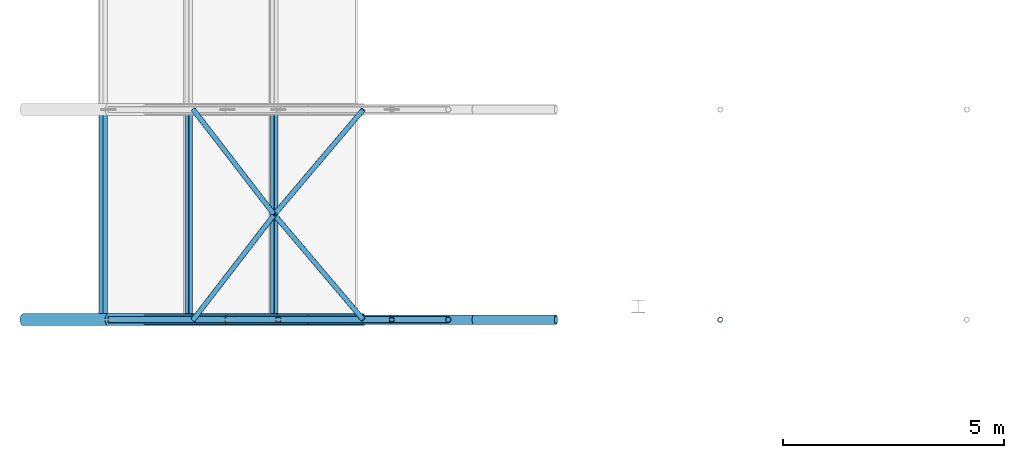
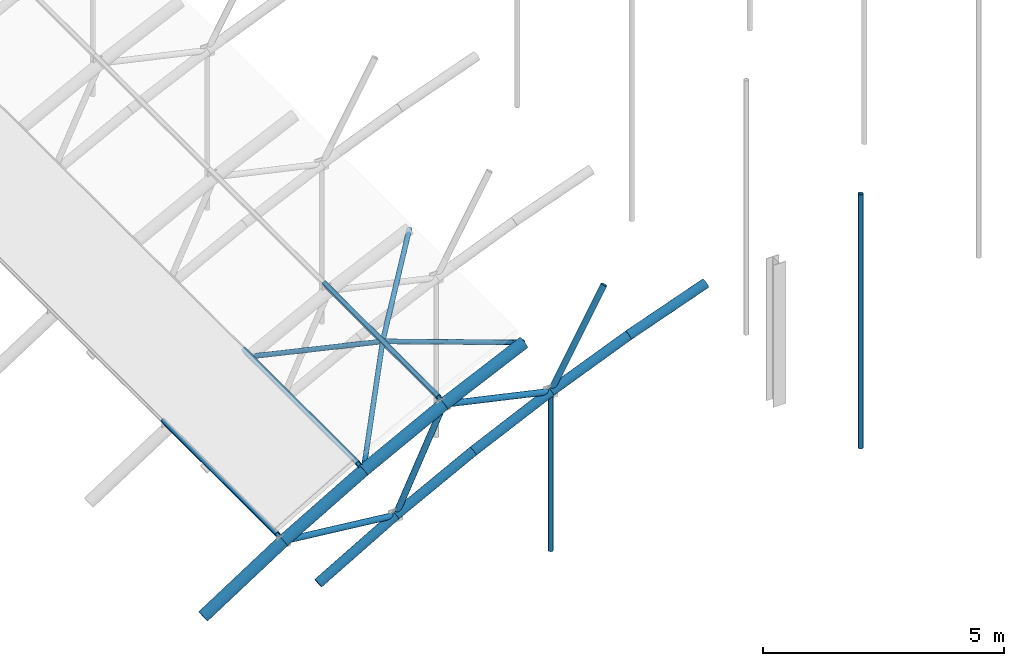
# One storey, part 6 of 50: 22 members.
"""IFC4 building model written with IfcOpenShell, lengths in metres."""

from ifc_helpers import new_model, si_unit, direction, frame, origin, origin_2d, place, context, subcontext, project, spatial, hollow_rectangle, hollow_circle, extrude, material, material_profile, profile_set, type_object, element, save


model = new_model("IFC4")

# Units and contexts
model_context = context("Model", 3, precision=1e-05, world=origin(), true_north=direction((0.0, 1.0)))
body_context = subcontext(model_context, "Body", "Model", "MODEL_VIEW")
ifc_project = project(units=[si_unit("LENGTHUNIT", "METRE"), si_unit("AREAUNIT", "SQUARE_METRE"), si_unit("VOLUMEUNIT", "CUBIC_METRE"), si_unit("PLANEANGLEUNIT", "RADIAN"), si_unit("MASSUNIT", "GRAM", prefix="KILO")], contexts=[model_context])

# Site, building, storey
site_placement = place(None, origin())
site = spatial("IfcSite", under=ifc_project, at=site_placement, CompositionType="ELEMENT")
building_placement = place(site_placement, origin())
building = spatial("IfcBuilding", under=site, at=building_placement, Name="Elbe Cascade School", CompositionType="ELEMENT")
storey_placement = place(building_placement, frame((0.0, 0.0, 15.300048828125)))
storey = spatial("IfcBuildingStorey", under=building, at=storey_placement, Name="L04", CompositionType="ELEMENT", Elevation=15.300048828125)

# Members
ifc_material_1 = material(Name="Steel S355J2H", Category="steel")
ifc_material_profile_1 = material_profile(ifc_material_1, hollow_circle(Radius=0.109619140625, WallThickness=0.012451171875, at=origin_2d()), Name="CHS 219.1x12.5")
ifc_profile_set_1 = profile_set([ifc_material_profile_1], Name="Steel S355J2H")
member_type_1 = type_object("IfcMemberType", Name="Hall rib bottom chord CHS 219.1x12.5", PredefinedType="CHORD", material=ifc_profile_set_1)
member_1_placement = place(storey_placement, frame((9.857177734375, 41.0, -0.509521484375), z_axis=(0.864836718866, 0.0, 0.502053233931), x_axis=(0.0, 1.0, 0.0)))
element("IfcMember", 1, at=member_1_placement, inside=storey, type_object=member_type_1, Name="Hall rib bottom chord CHS 219.1x12.5 M3", PredefinedType="CHORD", context=body_context, shape_type="SweptSolid", body=[
    extrude(hollow_circle(Radius=0.109619140625, WallThickness=0.012451171875, at=origin_2d()), origin(), (0.0, 0.0, 1.0), 2.1474609375),
])
member_2_placement = place(storey_placement, frame((11.71435546875, 41.0, 0.568603515625), z_axis=(0.886913089016, 0.0, 0.461936329523), x_axis=(0.0, 1.0, 0.0)))
element("IfcMember", 2, at=member_2_placement, inside=storey, type_object=member_type_1, Name="Hall rib bottom chord CHS 219.1x12.5 M3", PredefinedType="CHORD", context=body_context, shape_type="SweptSolid", body=[
    extrude(hollow_circle(Radius=0.109619140625, WallThickness=0.012451171875, at=origin_2d()), origin(), (0.0, 0.0, 1.0), 2.093994140625),
])
member_3_placement = place(storey_placement, frame((13.571533203125, 41.0, 1.535888671875), z_axis=(0.90670626979, 0.0, 0.421762658759), x_axis=(0.0, 1.0, 0.0)))
element("IfcMember", 3, at=member_3_placement, inside=storey, type_object=member_type_1, Name="Hall rib bottom chord CHS 219.1x12.5 M3", PredefinedType="CHORD", context=body_context, shape_type="SweptSolid", body=[
    extrude(hollow_circle(Radius=0.109619140625, WallThickness=0.012451171875, at=origin_2d()), origin(), (0.0, 0.0, 1.0), 2.048095703125),
])
member_4_placement = place(storey_placement, frame((15.428466796875, 41.0, 2.399658203125), z_axis=(0.924348085413, 0.0, 0.381550281083), x_axis=(0.0, 1.0, 0.0)))
element("IfcMember", 4, at=member_4_placement, inside=storey, type_object=member_type_1, Name="Hall rib bottom chord CHS 219.1x12.5 M3", PredefinedType="CHORD", context=body_context, shape_type="SweptSolid", body=[
    extrude(hollow_circle(Radius=0.109619140625, WallThickness=0.012451171875, at=origin_2d()), origin(), (0.0, 0.0, 1.0), 2.00927734375),
])
member_5_placement = place(storey_placement, frame((17.28564453125, 41.0, 3.166259765625), z_axis=(0.939919624861, 0.0, 0.341395809582), x_axis=(0.0, 1.0, 0.0)))
element("IfcMember", 5, at=member_5_placement, inside=storey, type_object=member_type_1, Name="Hall rib bottom chord CHS 219.1x12.5 M3", PredefinedType="CHORD", context=body_context, shape_type="SweptSolid", body=[
    extrude(hollow_circle(Radius=0.109619140625, WallThickness=0.012451171875, at=origin_2d()), origin(), (0.0, 0.0, 1.0), 1.975830078125),
])
ifc_material_2 = material(Name="Steel S355J2H", Category="steel")
ifc_material_profile_2 = material_profile(ifc_material_2, hollow_circle(Radius=0.136474609375, WallThickness=0.012451171875, at=origin_2d()), Name="CHS 273x12.5")
ifc_profile_set_2 = profile_set([ifc_material_profile_2], Name="Steel S355J2H")
member_type_2 = type_object("IfcMemberType", Name="Hall rib top chord CHS 273x12.5", PredefinedType="CHORD", material=ifc_profile_set_2)
member_6_placement = place(storey_placement, frame((7.1005859375, 41.0, -0.384765625), z_axis=(0.840219764602, 0.0, 0.542246020891), x_axis=(0.0, 1.0, 0.0)))
element("IfcMember", 6, at=member_6_placement, inside=storey, type_object=member_type_2, Name="Hall rib top chord CHS 273x12.5 M2", PredefinedType="CHORD", context=body_context, shape_type="SweptSolid", body=[
    extrude(hollow_circle(Radius=0.136474609375, WallThickness=0.012451171875, at=origin_2d()), origin(), (0.0, 0.0, 1.0), 2.286865234375),
])
member_7_placement = place(storey_placement, frame((9.02197265625, 41.0, 0.855224609375), z_axis=(0.86482126995, 0.0, 0.502079845286), x_axis=(0.0, 1.0, 0.0)))
element("IfcMember", 7, at=member_7_placement, inside=storey, type_object=member_type_2, Name="Hall rib top chord CHS 273x12.5 M2", PredefinedType="CHORD", context=body_context, shape_type="SweptSolid", body=[
    extrude(hollow_circle(Radius=0.136474609375, WallThickness=0.012451171875, at=origin_2d()), origin(), (0.0, 0.0, 1.0), 2.2216796875),
])
member_8_placement = place(storey_placement, frame((10.943359375, 41.0, 1.970703125), z_axis=(0.886958329454, 0.0, 0.461849457954), x_axis=(0.0, 1.0, 0.0)))
element("IfcMember", 8, at=member_8_placement, inside=storey, type_object=member_type_2, Name="Hall rib top chord CHS 273x12.5 M2", PredefinedType="CHORD", context=body_context, shape_type="SweptSolid", body=[
    extrude(hollow_circle(Radius=0.136474609375, WallThickness=0.012451171875, at=origin_2d()), origin(), (0.0, 0.0, 1.0), 2.166259765625),
])
member_9_placement = place(storey_placement, frame((12.86474609375, 41.0, 2.97119140625), z_axis=(0.906697546089, 0.0, 0.421781412482), x_axis=(0.0, 1.0, 0.0)))
element("IfcMember", 9, at=member_9_placement, inside=storey, type_object=member_type_2, Name="Hall rib top chord CHS 273x12.5 M2", PredefinedType="CHORD", context=body_context, shape_type="SweptSolid", body=[
    extrude(hollow_circle(Radius=0.136474609375, WallThickness=0.012451171875, at=origin_2d()), origin(), (0.0, 0.0, 1.0), 2.119140625),
])
ifc_material_3 = material(Name="Steel S355J2H", Category="steel")
ifc_material_profile_3 = material_profile(ifc_material_3, hollow_circle(Radius=0.06982421875, WallThickness=0.008056640625, at=origin_2d()), Name="CHS 139.7x8")
ifc_profile_set_3 = profile_set([ifc_material_profile_3], Name="Steel S355J2H")
member_type_3 = type_object("IfcMemberType", Name="Hall rib web CHS 139.7x8", PredefinedType="BRACE", material=ifc_profile_set_3)
member_10_placement = place(storey_placement, frame((9.02197265625, 41.0, 0.855224609375), z_axis=(0.994381241781, 0.0, -0.1058581409), x_axis=(0.0, 1.0, 0.0)))
element("IfcMember", 10, at=member_10_placement, inside=storey, type_object=member_type_3, Name="Hall rib web CHS 139.7x8 M4", PredefinedType="BRACE", context=body_context, shape_type="SweptSolid", body=[
    extrude(hollow_circle(Radius=0.06982421875, WallThickness=0.008056640625, at=origin_2d()), origin(), (0.0, 0.0, 1.0), 2.70751953125),
])
member_11_placement = place(storey_placement, frame((11.71435546875, 41.0, 0.568603515625), z_axis=(0.431860834408, 0.0, 0.901940252846), x_axis=(0.0, 1.0, 0.0)))
element("IfcMember", 11, at=member_11_placement, inside=storey, type_object=member_type_3, Name="Hall rib web CHS 139.7x8 M4", PredefinedType="BRACE", context=body_context, shape_type="SweptSolid", body=[
    extrude(hollow_circle(Radius=0.06982421875, WallThickness=0.008056640625, at=origin_2d()), origin(), (0.0, 0.0, 1.0), 2.663818359375),
])
member_12_placement = place(storey_placement, frame((12.86474609375, 41.0, 2.97119140625), z_axis=(0.976040308699, 0.0, -0.217589787893), x_axis=(0.0, 1.0, 0.0)))
element("IfcMember", 12, at=member_12_placement, inside=storey, type_object=member_type_3, Name="Hall rib web CHS 139.7x8 M4", PredefinedType="BRACE", context=body_context, shape_type="SweptSolid", body=[
    extrude(hollow_circle(Radius=0.06982421875, WallThickness=0.008056640625, at=origin_2d()), origin(), (0.0, 0.0, 1.0), 2.626708984375),
])
member_13_placement = place(storey_placement, frame((15.428466796875, 41.0, 2.399658203125), z_axis=(0.492822683539, 0.0, 0.870129761926), x_axis=(0.0, 1.0, 0.0)))
element("IfcMember", 13, at=member_13_placement, inside=storey, type_object=member_type_3, Name="Hall rib web CHS 139.7x8 M4", PredefinedType="BRACE", context=body_context, shape_type="SweptSolid", body=[
    extrude(hollow_circle(Radius=0.06982421875, WallThickness=0.008056640625, at=origin_2d()), origin(), (0.0, 0.0, 1.0), 2.595458984375),
])
ifc_material_4 = material(Name="Steel S355J2H", Category="steel")
ifc_material_profile_4 = material_profile(ifc_material_4, hollow_circle(Radius=0.05712890625, WallThickness=0.00634765625, at=origin_2d()), Name="CHS 114.3x6.3")
ifc_profile_set_4 = profile_set([ifc_material_profile_4], Name="Steel S355J2H")
member_type_4 = type_object("IfcMemberType", Name="Hall roof bracing CHS 114.3x6.3", PredefinedType="BRACE", material=ifc_profile_set_4)
member_14_placement = place(storey_placement, frame((12.7734375, 43.375, 3.156494140625), z_axis=(-0.567594721189, -0.736601046922, -0.367770485701), x_axis=(0.792115177323, -0.610371645684, 0.0)))
element("IfcMember", 14, at=member_14_placement, inside=storey, type_object=member_type_4, Name="Hall roof bracing CHS 114.3x6.3 M9", PredefinedType="BRACE", context=body_context, shape_type="SweptSolid", body=[
    extrude(hollow_circle(Radius=0.05712890625, WallThickness=0.00634765625, at=origin_2d()), origin(), (0.0, 0.0, 1.0), 3.224365234375),
])
member_15_placement = place(storey_placement, frame((12.7734375, 43.375, 3.156494140625), z_axis=(0.630399186919, 0.743877157975, 0.221909078171), x_axis=(-0.762898222969, 0.646518600962, 0.0)))
element("IfcMember", 15, at=member_15_placement, inside=storey, type_object=member_type_4, Name="Hall roof bracing CHS 114.3x6.3 M9", PredefinedType="BRACE", context=body_context, shape_type="SweptSolid", body=[
    extrude(hollow_circle(Radius=0.05712890625, WallThickness=0.00634765625, at=origin_2d()), origin(), (0.0, 0.0, 1.0), 3.192626953125),
])
member_16_placement = place(storey_placement, frame((12.7734375, 43.375, 3.156494140625), z_axis=(-0.567594721189, 0.736601046922, -0.367770485701), x_axis=(-0.792115177323, -0.610371645684, 0.0)))
element("IfcMember", 16, at=member_16_placement, inside=storey, type_object=member_type_4, Name="Hall roof bracing CHS 114.3x6.3 M9", PredefinedType="BRACE", context=body_context, shape_type="SweptSolid", body=[
    extrude(hollow_circle(Radius=0.05712890625, WallThickness=0.00634765625, at=origin_2d()), origin(), (0.0, 0.0, 1.0), 3.224365234375),
])
member_17_placement = place(storey_placement, frame((12.7734375, 43.375, 3.156494140625), z_axis=(0.630399186919, -0.743877157975, 0.221909078171), x_axis=(0.762898222969, 0.646518600962, 0.0)))
element("IfcMember", 17, at=member_17_placement, inside=storey, type_object=member_type_4, Name="Hall roof bracing CHS 114.3x6.3 M9", PredefinedType="BRACE", context=body_context, shape_type="SweptSolid", body=[
    extrude(hollow_circle(Radius=0.05712890625, WallThickness=0.00634765625, at=origin_2d()), origin(), (0.0, 0.0, 1.0), 3.192626953125),
])
ifc_material_5 = material(Name="Steel S355J2H", Category="steel")
ifc_material_profile_5 = material_profile(ifc_material_5, hollow_rectangle(XDim=0.10009765625, YDim=0.199951171875, WallThickness=0.008056640625, InnerFilletRadius=0.008056640625, OuterFilletRadius=0.011962890625, at=origin_2d()), Name="RHS 200x100x8")
ifc_profile_set_5 = profile_set([ifc_material_profile_5], Name="Steel S355J2H")
member_type_5 = type_object("IfcMemberType", Name="Hall roof purlin RHS 200x100x8", PredefinedType="PURLIN", material=ifc_profile_set_5)
for number, where, z_axis, x_axis, name in (
    (18, (8.9140625, 41.0, 1.03125), (0.0, 1.0, 0.0), (-0.852940758882, 0.0, -0.52200772201), "Hall roof purlin RHS 200x100x8 M8"),
    (19, (10.84375, 41.0, 2.151611328125), (0.0, 1.0, 0.0), (-0.876251912848, 0.0, -0.481853281851), "Hall roof purlin RHS 200x100x8 M8"),
    (20, (12.7734375, 41.0, 3.156494140625), (0.0, 1.0, 0.0), (-0.897163381573, 0.0, -0.441698841706), "Hall roof purlin RHS 200x100x8 M8"),
):
    element("IfcMember", number, at=place(storey_placement, frame(where, z_axis=z_axis, x_axis=x_axis)), inside=storey, type_object=member_type_5, Name=name, PredefinedType="PURLIN", context=body_context, shape_type="SweptSolid", body=[
        extrude(hollow_rectangle(XDim=0.10009765625, YDim=0.199951171875, WallThickness=0.008056640625, InnerFilletRadius=0.008056640625, OuterFilletRadius=0.011962890625, at=origin_2d()), origin(), (0.0, 0.0, 1.0), 4.75),
    ])
ifc_material_6 = material(Name="Steel S355J2H", Category="steel")
ifc_material_profile_6 = material_profile(ifc_material_6, hollow_circle(Radius=0.05712890625, WallThickness=0.00634765625, at=origin_2d()), Name="CHS 114.3x6.3")
ifc_profile_set_6 = profile_set([ifc_material_profile_6], Name="Steel S355J2H")
member_type_6 = type_object("IfcMemberType", Name="Hall tie hanger CHS 114.3x6.3", PredefinedType="POST", material=ifc_profile_set_6)
member_18_placement = place(storey_placement, frame((15.428466796875, 41.0, -1.623779296875), z_axis=(0.0, 0.0, 1.0), x_axis=(1.0, 0.0, 0.0)))
element("IfcMember", 21, at=member_18_placement, inside=storey, type_object=member_type_6, Name="Hall tie hanger CHS 114.3x6.3 M7", PredefinedType="POST", context=body_context, shape_type="SweptSolid", body=[
    extrude(hollow_circle(Radius=0.05712890625, WallThickness=0.00634765625, at=origin_2d()), origin(), (0.0, 0.0, 1.0), 3.90380859375),
])
member_19_placement = place(storey_placement, frame((22.857177734375, 41.0, -1.623779296875), z_axis=(0.0, 0.0, 1.0), x_axis=(1.0, 0.0, 0.0)))
element("IfcMember", 22, at=member_19_placement, inside=storey, type_object=member_type_6, Name="Hall tie hanger CHS 114.3x6.3 M7", PredefinedType="POST", context=body_context, shape_type="SweptSolid", body=[
    extrude(hollow_circle(Radius=0.05712890625, WallThickness=0.00634765625, at=origin_2d()), origin(), (0.0, 0.0, 1.0), 6.4404296875),
])

save(model, "model.ifc")
